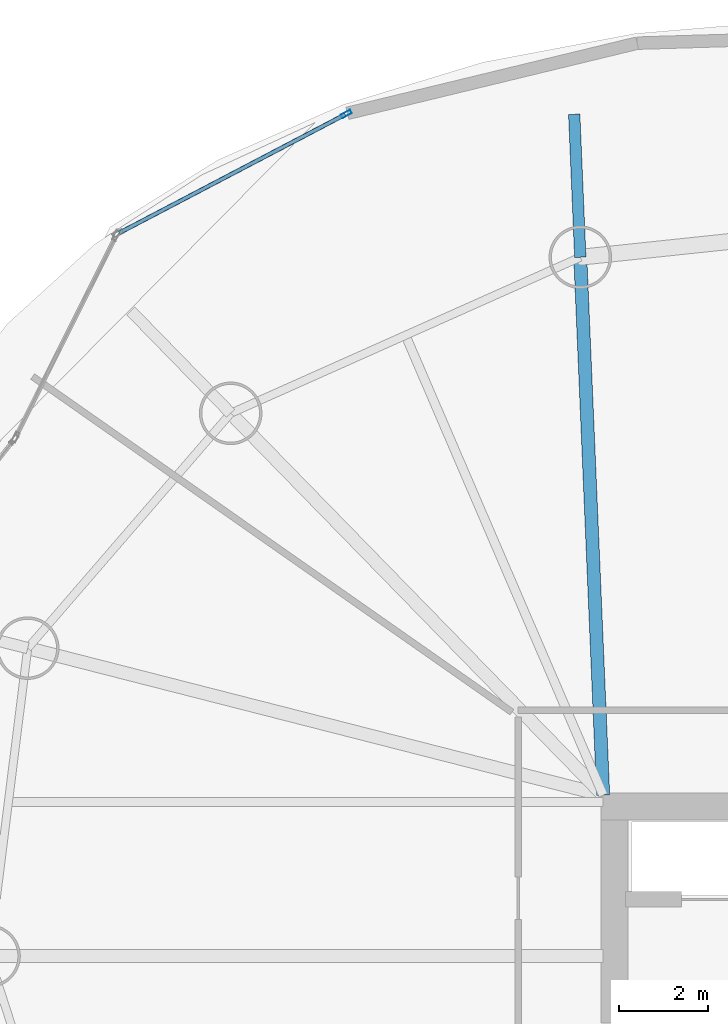
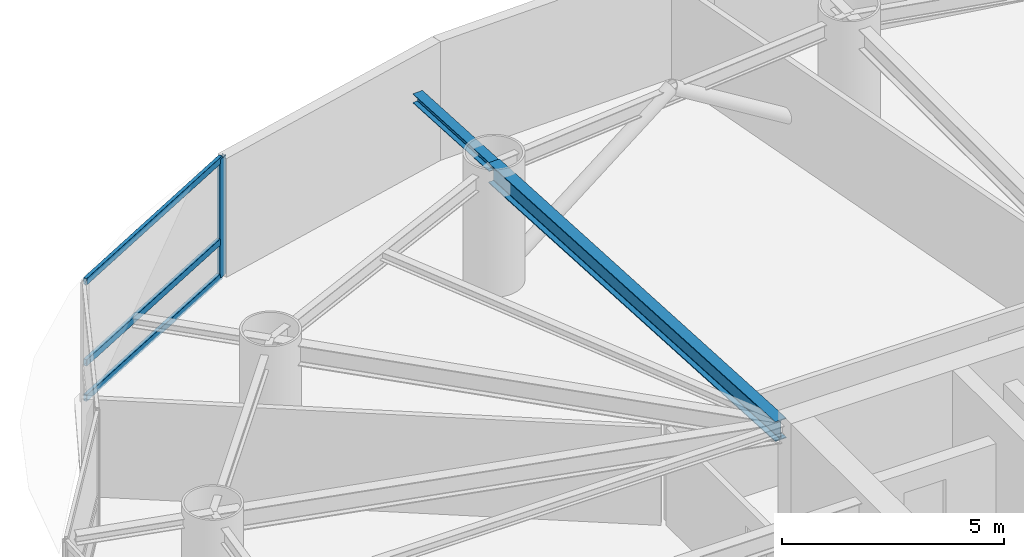
# One storey, part 14 of 23: 4 members, 2 beams, 1 element without a shape of its own.
"""IFC4 building model written with IfcOpenShell, lengths in metres."""

from ifc_helpers import new_model, si_unit, direction, frame, origin, origin_2d, place, context, subcontext, project, spatial, hollow_rectangle, i_section, extrude, material, layer, layer_set, material_profile, profile_set, type_object, element, aggregate, save


model = new_model("IFC4")

# Units and contexts
model_context = context("Model", 3, precision=1e-05, world=origin(), true_north=direction((0.0, 1.0)))
body_context = subcontext(model_context, "Body", "Model", "MODEL_VIEW")
ifc_project = project(units=[si_unit("LENGTHUNIT", "METRE"), si_unit("AREAUNIT", "SQUARE_METRE"), si_unit("VOLUMEUNIT", "CUBIC_METRE"), si_unit("PLANEANGLEUNIT", "RADIAN"), si_unit("MASSUNIT", "GRAM", prefix="KILO")], contexts=[model_context])

# Site, building, storey
site_placement = place(None, origin())
site = spatial("IfcSite", under=ifc_project, at=site_placement, CompositionType="ELEMENT")
building_placement = place(site_placement, origin())
building = spatial("IfcBuilding", under=site, at=building_placement, Name="Bramvorn Convention Spire", CompositionType="ELEMENT")
storey_placement = place(building_placement, frame((0.0, 0.0, 158.800048828125)))
storey = spatial("IfcBuildingStorey", under=building, at=storey_placement, Name="L40", CompositionType="ELEMENT", Elevation=158.800048828125)

# Beams
ifc_material_1 = material(Name="Steel CSA G40.21 Grade 350 (350W)", Category="steel")
ifc_material_profile_1 = material_profile(ifc_material_1, i_section(OverallWidth=0.25390625, OverallDepth=0.2529296875, WebThickness=0.008544921875, FlangeThickness=0.01416015625, FilletRadius=0.011962890625, at=origin_2d()))
ifc_profile_set_1 = profile_set([ifc_material_profile_1], Name="Steel CSA G40.21 Grade 350 (350W) - W250X73")
beam_type_1 = type_object("IfcBeamType", Name="BM-W250X73", PredefinedType="BEAM", material=ifc_profile_set_1)
beam_1_placement = place(storey_placement, frame((26.23828125, 45.478759765625, 3.133544921875), z_axis=(-0.042496892375, 0.999096599003, 0.0), x_axis=(-0.999096599003, -0.042496892375, 0.0)))
element("IfcBeam", 1, at=beam_1_placement, inside=storey, type_object=beam_type_1, Name="L40 slab-edge cantilever tip beam MC07", PredefinedType="BEAM", context=body_context, shape_type="SweptSolid", body=[
    extrude(i_section(OverallWidth=0.25390625, OverallDepth=0.2529296875, WebThickness=0.008544921875, FlangeThickness=0.01416015625, FilletRadius=0.011962890625, at=origin_2d()), origin(), (0.0, 0.0, 1.0), 3.199951171875),
])
ifc_material_profile_2 = material_profile(ifc_material_1, i_section(OverallWidth=0.2919921875, OverallDepth=0.551025390625, WebThickness=0.01513671875, FlangeThickness=0.0244140625, FilletRadius=0.01904296875, at=origin_2d()))
ifc_profile_set_2 = profile_set([ifc_material_profile_2], Name="Steel CSA G40.21 Grade 350 (350W) - W530X182")
beam_type_2 = type_object("IfcBeamType", Name="BM-W530X182", PredefinedType="BEAM", material=ifc_profile_set_2)
beam_2_placement = place(storey_placement, frame((26.75, 33.449951171875, 2.984375), z_axis=(-0.042502657955, 0.999096353745, 0.0), x_axis=(-0.999096353745, -0.042502657955, 0.0)))
element("IfcBeam", 2, at=beam_2_placement, inside=storey, type_object=beam_type_2, Name="L40 radial floor girder MC07", PredefinedType="BEAM", context=body_context, shape_type="SweptSolid", body=[
    extrude(i_section(OverallWidth=0.2919921875, OverallDepth=0.551025390625, WebThickness=0.01513671875, FlangeThickness=0.0244140625, FilletRadius=0.01904296875, at=origin_2d()), origin(), (0.0, 0.0, 1.0), 12.039794921875),
])

# Curtain wall, members
ifc_material_2 = material(Name="Anodised Bronze Unitised Curtain Wall", Category="aluminium")
ifc_layer = layer(ifc_material_2, 0.219970703125)
ifc_layer_set = layer_set([ifc_layer], Name="Anodised Bronze Unitised Curtain Wall - CW-SKYGARDEN")
curtain_wall_type = type_object("IfcCurtainWallType", Name="CW-SKYGARDEN", PredefinedType="USERDEFINED", material=ifc_layer_set)
curtain_wall_placement = place(storey_placement, origin())
curtain_wall = element("IfcCurtainWall", 3, at=curtain_wall_placement, inside=storey, type_object=curtain_wall_type, Name="L40 Sky Garden glazed facade 11", ObjectType="WINTER GARDEN GLAZING", PredefinedType="USERDEFINED")
ifc_material_3 = material(Name="Anodised Bronze Aluminium 6063-T6", Category="aluminium")
ifc_material_profile_3 = material_profile(ifc_material_3, hollow_rectangle(XDim=0.090087890625, YDim=0.239990234375, WallThickness=0.00439453125, InnerFilletRadius=0.0009765625, OuterFilletRadius=0.00439453125, at=origin_2d()))
ifc_profile_set_3 = profile_set([ifc_material_profile_3], Name="Anodised Bronze Aluminium 6063-T6 - CWM90X240")
member_type_1 = type_object("IfcMemberType", Name="CW-MUL-220", PredefinedType="MULLION", material=ifc_profile_set_3)
member_1_placement = place(storey_placement, frame((21.005615234375, 48.683349609375, 0.0), z_axis=(0.0, 0.0, 1.0), x_axis=(-0.464182821898, 0.885739413064, 0.0)))
member_1 = element("IfcMember", 4, at=member_1_placement, type_object=member_type_1, Name="CW4 mullion 2", PredefinedType="MULLION", context=body_context, shape_type="SweptSolid", body=[
    extrude(hollow_rectangle(XDim=0.090087890625, YDim=0.239990234375, WallThickness=0.00439453125, InnerFilletRadius=0.0009765625, OuterFilletRadius=0.00439453125, at=origin_2d()), origin(), (0.0, 0.0, 1.0), 3.260009765625),
])
ifc_material_profile_4 = material_profile(ifc_material_3, hollow_rectangle(XDim=0.090087890625, YDim=0.179931640625, WallThickness=0.00439453125, InnerFilletRadius=0.0009765625, OuterFilletRadius=0.00439453125, at=origin_2d()))
ifc_profile_set_4 = profile_set([ifc_material_profile_4], Name="Anodised Bronze Aluminium 6063-T6 - CWT90X180")
member_type_2 = type_object("IfcMemberType", Name="CW-TRN-180", PredefinedType="USERDEFINED", material=ifc_profile_set_4)
member_2_placement = place(storey_placement, frame((15.927978515625, 46.0224609375, 0.030029296875), z_axis=(0.885745209599, 0.464171760959, 0.0), x_axis=(-0.464171760959, 0.885745209599, 0.0)))
member_2 = element("IfcMember", 5, at=member_2_placement, type_object=member_type_2, Name="CW4 transom 1.1", ObjectType="TRANSOM", PredefinedType="USERDEFINED", context=body_context, shape_type="SweptSolid", body=[
    extrude(hollow_rectangle(XDim=0.090087890625, YDim=0.179931640625, WallThickness=0.00439453125, InnerFilletRadius=0.0009765625, OuterFilletRadius=0.00439453125, at=origin_2d()), origin(), (0.0, 0.0, 1.0), 5.70263671875),
])
member_3_placement = place(storey_placement, frame((15.927978515625, 46.0224609375, 1.0), z_axis=(0.885745209599, 0.464171760959, 0.0), x_axis=(-0.464171760959, 0.885745209599, 0.0)))
member_3 = element("IfcMember", 6, at=member_3_placement, type_object=member_type_2, Name="CW4 transom 1.2", ObjectType="TRANSOM", PredefinedType="USERDEFINED", context=body_context, shape_type="SweptSolid", body=[
    extrude(hollow_rectangle(XDim=0.090087890625, YDim=0.179931640625, WallThickness=0.00439453125, InnerFilletRadius=0.0009765625, OuterFilletRadius=0.00439453125, at=origin_2d()), origin(), (0.0, 0.0, 1.0), 5.70263671875),
])
member_4_placement = place(storey_placement, frame((15.927978515625, 46.0224609375, 3.22998046875), z_axis=(0.885745209599, 0.464171760959, 0.0), x_axis=(-0.464171760959, 0.885745209599, 0.0)))
member_4 = element("IfcMember", 7, at=member_4_placement, type_object=member_type_2, Name="CW4 transom 1.3", ObjectType="TRANSOM", PredefinedType="USERDEFINED", context=body_context, shape_type="SweptSolid", body=[
    extrude(hollow_rectangle(XDim=0.090087890625, YDim=0.179931640625, WallThickness=0.00439453125, InnerFilletRadius=0.0009765625, OuterFilletRadius=0.00439453125, at=origin_2d()), origin(), (0.0, 0.0, 1.0), 5.70263671875),
])
aggregate(curtain_wall, [member_1, member_2, member_3, member_4])

save(model, "model.ifc")
